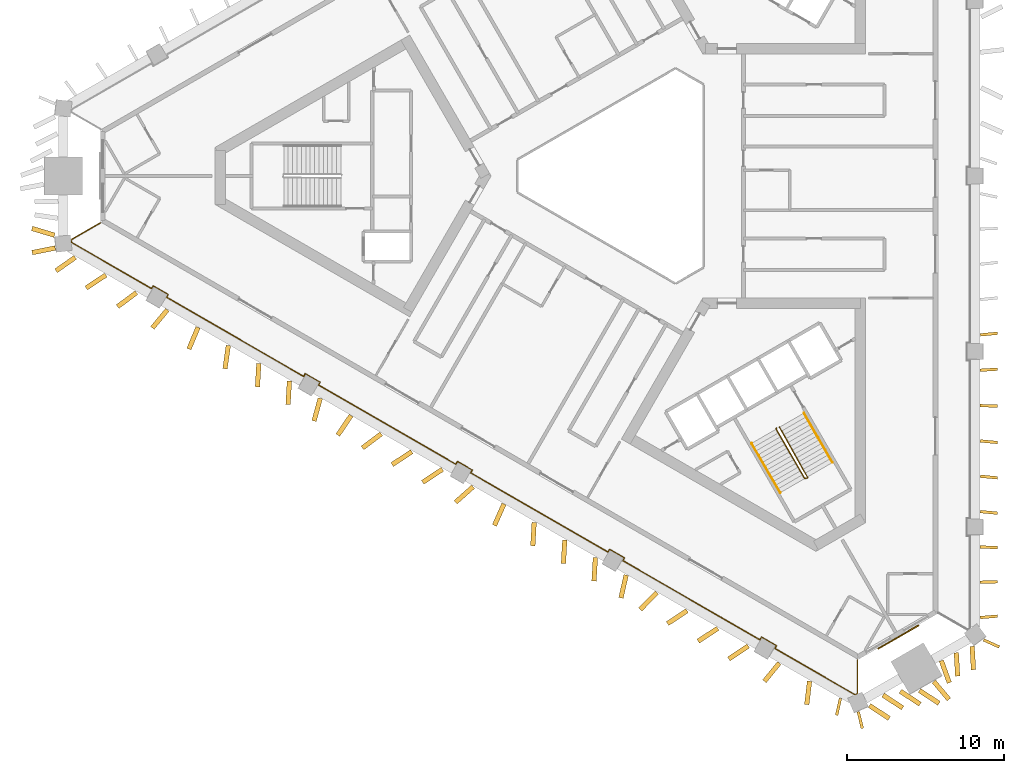
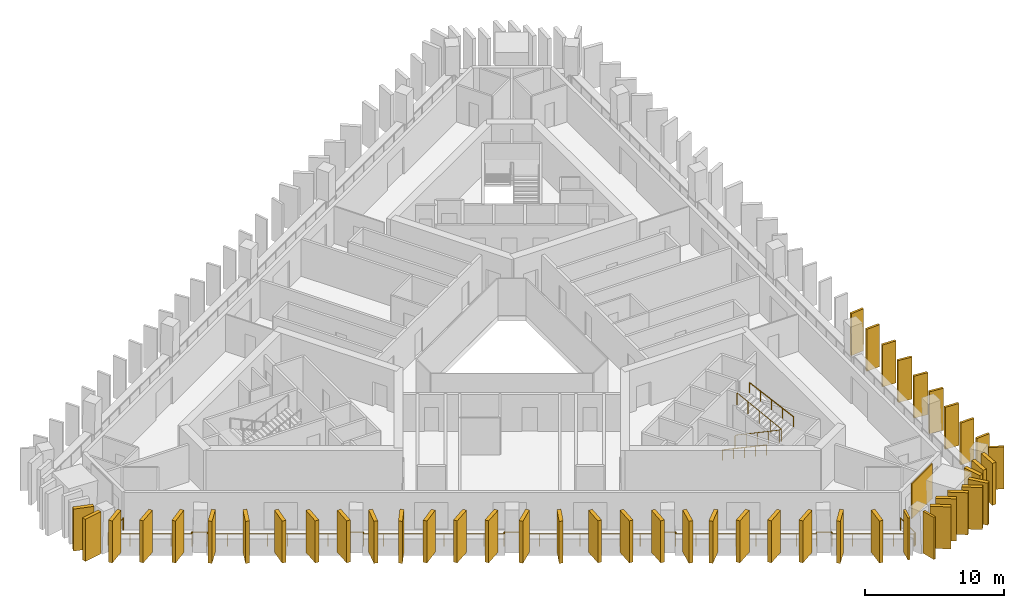
# One storey, part 8 of 10: 47 shading devices, 4 railings, 1 covering.
"""IFC4 building model written with IfcOpenShell, lengths in metres."""

from ifc_helpers import new_model, si_unit, direction, frame, frame_2d, origin, origin_2d, place, context, subcontext, project, spatial, rectangle, circle, extrude, material, layer, layer_set, type_object, element, save


model = new_model("IFC4")

# Units and contexts
model_context = context("Model", 3, precision=1e-05, world=origin(), true_north=direction((0.0, 1.0)))
body_context = subcontext(model_context, "Body", "Model", "MODEL_VIEW")
ifc_project = project(units=[si_unit("LENGTHUNIT", "METRE"), si_unit("AREAUNIT", "SQUARE_METRE"), si_unit("VOLUMEUNIT", "CUBIC_METRE"), si_unit("PLANEANGLEUNIT", "RADIAN"), si_unit("MASSUNIT", "GRAM", prefix="KILO")], contexts=[model_context])

# Site, building, storey
site_placement = place(None, origin())
site = spatial("IfcSite", under=ifc_project, at=site_placement, CompositionType="ELEMENT")
building_placement = place(site_placement, origin())
building = spatial("IfcBuilding", under=site, at=building_placement, Name="Jabali Bay Hotel Tower and Convention Centre", CompositionType="ELEMENT")
storey_placement = place(building_placement, frame((0.0, 0.0, 136.39990234375)))
storey = spatial("IfcBuildingStorey", under=building, at=storey_placement, Name="L33", CompositionType="ELEMENT", Elevation=136.39990234375)

# Railing
ifc_material_1 = material(Name="Glass", Category="glass")
railing_type_1 = type_object("IfcRailingType", Name="Loggia glass guard 1100", PredefinedType="BALUSTRADE", material=ifc_material_1)
railing_1_placement = place(storey_placement, frame((89.370849609375, 49.12646484375, 0.0)))
element("IfcRailing", 1, at=railing_1_placement, inside=storey, type_object=railing_type_1, Name="Loggia glass guard L33", PredefinedType="BALUSTRADE", context=body_context, shape_type="SweptSolid", body=[
    extrude(circle(Radius=0.02490234375, at=origin_2d()), frame((0.0, 0.0, 1.0751953125), z_axis=(0.0, -1.0, 0.0), x_axis=(0.991444861374, 0.0, 0.13052619222)), (0.0, 0.0, 1.0), 2.16552734375),
    extrude(circle(Radius=0.02490234375, at=origin_2d()), frame((0.0, -2.16552734375, 1.0751953125), z_axis=(-0.919226147347, -0.393729970962, 0.0), x_axis=(0.39036155648, -0.911362040227, 0.13052619222)), (0.0, 0.0, 1.0), 0.155517578125),
    extrude(circle(Radius=0.02490234375, at=origin_2d()), frame((-0.14306640625, -2.226806640625, 1.0751953125), z_axis=(-0.866023265602, 0.500003703423, 0.0), x_axis=(-0.495726102427, -0.858614316511, 0.13052619222)), (0.0, 0.0, 1.0), 5.9111328125),
    extrude(circle(Radius=0.02490234375, at=origin_2d()), frame((-5.26220703125, 0.728759765625, 1.0751953125), z_axis=(0.499687197852, 0.866205924883, 0.0), x_axis=(-0.858795413117, 0.495412304605, 0.13052619222)), (0.0, 0.0, 1.0), 0.199951171875),
    extrude(circle(Radius=0.02490234375, at=origin_2d()), frame((-5.162353515625, 0.90185546875, 1.0751953125), z_axis=(-0.866008176907, 0.50002983664, 0.0), x_axis=(-0.495752012071, -0.858599356902, 0.13052619222)), (0.0, 0.0, 1.0), 1.10009765625),
    extrude(circle(Radius=0.02490234375, at=origin_2d()), frame((-6.114990234375, 1.451904296875, 1.0751953125), z_axis=(-0.499687197852, -0.866205924883, 0.0), x_axis=(0.858795413117, -0.495412304605, 0.13052619222)), (0.0, 0.0, 1.0), 0.199951171875),
    extrude(circle(Radius=0.02490234375, at=origin_2d()), frame((-6.21484375, 1.27880859375, 1.0751953125), z_axis=(-0.866032703202, 0.499987356825, 0.0), x_axis=(-0.495709895676, -0.858623673371, 0.13052619222)), (0.0, 0.0, 1.0), 10.105224609375),
    extrude(circle(Radius=0.02490234375, at=origin_2d()), frame((-14.96630859375, 6.331298828125, 1.0751953125), z_axis=(0.499158860599, 0.866510491504, 0.0), x_axis=(-0.859097374128, 0.49488848735, 0.13052619222)), (0.0, 0.0, 1.0), 0.199951171875),
    extrude(circle(Radius=0.02490234375, at=origin_2d()), frame((-14.866455078125, 6.504638671875, 1.0751953125), z_axis=(-0.866008176907, 0.50002983664, 0.0), x_axis=(-0.495752012071, -0.858599356902, 0.13052619222)), (0.0, 0.0, 1.0), 1.10009765625),
    extrude(circle(Radius=0.02490234375, at=origin_2d()), frame((-15.819091796875, 7.0546875, 1.0751953125), z_axis=(-0.499158860599, -0.866510491504, 0.0), x_axis=(0.859097374128, -0.49488848735, 0.13052619222)), (0.0, 0.0, 1.0), 0.199951171875),
    extrude(circle(Radius=0.02490234375, at=origin_2d()), frame((-15.9189453125, 6.88134765625, 1.0751953125), z_axis=(-0.866022241808, 0.500005476663, 0.0), x_axis=(-0.495727860496, -0.858613301476, 0.13052619222)), (0.0, 0.0, 1.0), 10.10546875),
    extrude(circle(Radius=0.02490234375, at=origin_2d()), frame((-24.67041015625, 11.93408203125, 1.0751953125), z_axis=(0.499687197852, 0.866205924883, 0.0), x_axis=(-0.858795413117, 0.495412304605, 0.13052619222)), (0.0, 0.0, 1.0), 0.199951171875),
    extrude(circle(Radius=0.02490234375, at=origin_2d()), frame((-24.570556640625, 12.107177734375, 1.0751953125), z_axis=(-0.866008176907, 0.50002983664, 0.0), x_axis=(-0.495752012071, -0.858599356902, 0.13052619222)), (0.0, 0.0, 1.0), 1.10009765625),
    extrude(circle(Radius=0.02490234375, at=origin_2d()), frame((-25.523193359375, 12.6572265625, 1.0751953125), z_axis=(-0.499687197852, -0.866205924883, 0.0), x_axis=(0.858795413117, -0.495412304605, 0.13052619222)), (0.0, 0.0, 1.0), 0.199951171875),
    extrude(circle(Radius=0.02490234375, at=origin_2d()), frame((-25.623046875, 12.484130859375, 1.0751953125), z_axis=(-0.866032703202, 0.499987356825, 0.0), x_axis=(-0.495709895676, -0.858623673371, 0.13052619222)), (0.0, 0.0, 1.0), 10.105224609375),
    extrude(circle(Radius=0.02490234375, at=origin_2d()), frame((-34.37451171875, 17.53662109375, 1.0751953125), z_axis=(0.499158860599, 0.866510491504, 0.0), x_axis=(-0.859097374128, 0.49488848735, 0.13052619222)), (0.0, 0.0, 1.0), 0.199951171875),
    extrude(circle(Radius=0.02490234375, at=origin_2d()), frame((-34.274658203125, 17.7099609375, 1.0751953125), z_axis=(-0.866008176907, 0.50002983664, 0.0), x_axis=(-0.495752012071, -0.858599356902, 0.13052619222)), (0.0, 0.0, 1.0), 1.10009765625),
    extrude(circle(Radius=0.02490234375, at=origin_2d()), frame((-35.227294921875, 18.260009765625, 1.0751953125), z_axis=(-0.499158860599, -0.866510491504, 0.0), x_axis=(0.859097374128, -0.49488848735, 0.13052619222)), (0.0, 0.0, 1.0), 0.199951171875),
    extrude(circle(Radius=0.02490234375, at=origin_2d()), frame((-35.3271484375, 18.086669921875, 1.0751953125), z_axis=(-0.866022241808, 0.500005476663, 0.0), x_axis=(-0.495727860496, -0.858613301476, 0.13052619222)), (0.0, 0.0, 1.0), 10.10546875),
    extrude(circle(Radius=0.02490234375, at=origin_2d()), frame((-44.07861328125, 23.139404296875, 1.0751953125), z_axis=(0.499687197852, 0.866205924883, 0.0), x_axis=(-0.858795413117, 0.495412304605, 0.13052619222)), (0.0, 0.0, 1.0), 0.199951171875),
    extrude(circle(Radius=0.02490234375, at=origin_2d()), frame((-43.978759765625, 23.3125, 1.0751953125), z_axis=(-0.866008176907, 0.50002983664, 0.0), x_axis=(-0.495752012071, -0.858599356902, 0.13052619222)), (0.0, 0.0, 1.0), 1.10009765625),
    extrude(circle(Radius=0.02490234375, at=origin_2d()), frame((-44.931396484375, 23.862548828125, 1.0751953125), z_axis=(-0.499687197852, -0.866205924883, 0.0), x_axis=(0.858795413117, -0.495412304605, 0.13052619222)), (0.0, 0.0, 1.0), 0.199951171875),
    extrude(circle(Radius=0.02490234375, at=origin_2d()), frame((-45.03125, 23.689453125, 1.0751953125), z_axis=(-0.866023265602, 0.500003703423, 0.0), x_axis=(-0.495726102427, -0.858614316511, 0.13052619222)), (0.0, 0.0, 1.0), 5.9111328125),
    extrude(circle(Radius=0.02490234375, at=origin_2d()), frame((-50.150390625, 26.64501953125, 1.0751953125), z_axis=(-0.119207070312, 0.99286941457, 0.0), x_axis=(-0.98437527909, -0.1181872373, 0.13052619222)), (0.0, 0.0, 1.0), 0.15576171875),
    extrude(circle(Radius=0.02490234375, at=origin_2d()), frame((-50.1689453125, 26.799560546875, 1.0751953125), z_axis=(0.866035399557, 0.499982686414, 0.0), x_axis=(-0.495705265221, 0.858626346659, 0.13052619222)), (0.0, 0.0, 1.0), 2.16552734375),
    extrude(circle(Radius=0.02001953125, at=origin_2d()), origin(), (0.0, 0.0, 1.0), 1.050048828125),
    extrude(circle(Radius=0.02001953125, at=origin_2d()), frame((0.0, -1.082763671875, 0.0)), (0.0, 0.0, 1.0), 1.050048828125),
    extrude(circle(Radius=0.02001953125, at=origin_2d()), frame((0.0, -2.16552734375, 0.0)), (0.0, 0.0, 1.0), 1.050048828125),
    extrude(circle(Radius=0.02001953125, at=origin_2d()), frame((-0.14306640625, -2.226806640625, 0.0)), (0.0, 0.0, 1.0), 1.050048828125),
    extrude(circle(Radius=0.02001953125, at=origin_2d()), frame((-1.4228515625, -1.48779296875, 0.0)), (0.0, 0.0, 1.0), 1.050048828125),
    extrude(circle(Radius=0.02001953125, at=origin_2d()), frame((-2.70263671875, -0.7490234375, 0.0)), (0.0, 0.0, 1.0), 1.050048828125),
    extrude(circle(Radius=0.02001953125, at=origin_2d()), frame((-3.982421875, -0.01025390625, 0.0)), (0.0, 0.0, 1.0), 1.050048828125),
    extrude(circle(Radius=0.02001953125, at=origin_2d()), frame((-5.26220703125, 0.728759765625, 0.0)), (0.0, 0.0, 1.0), 1.050048828125),
    extrude(circle(Radius=0.02001953125, at=origin_2d()), frame((-5.162353515625, 0.90185546875, 0.0)), (0.0, 0.0, 1.0), 1.050048828125),
    extrude(circle(Radius=0.02001953125, at=origin_2d()), frame((-6.114990234375, 1.451904296875, 0.0)), (0.0, 0.0, 1.0), 1.050048828125),
    extrude(circle(Radius=0.02001953125, at=origin_2d()), frame((-6.21484375, 1.27880859375, 0.0)), (0.0, 0.0, 1.0), 1.050048828125),
    extrude(circle(Radius=0.02001953125, at=origin_2d()), frame((-7.465087890625, 2.00048828125, 0.0)), (0.0, 0.0, 1.0), 1.050048828125),
    extrude(circle(Radius=0.02001953125, at=origin_2d()), frame((-8.71533203125, 2.722412109375, 0.0)), (0.0, 0.0, 1.0), 1.050048828125),
    extrude(circle(Radius=0.02001953125, at=origin_2d()), frame((-9.965576171875, 3.444091796875, 0.0)), (0.0, 0.0, 1.0), 1.050048828125),
    extrude(circle(Radius=0.02001953125, at=origin_2d()), frame((-11.215576171875, 4.166015625, 0.0)), (0.0, 0.0, 1.0), 1.050048828125),
    extrude(circle(Radius=0.02001953125, at=origin_2d()), frame((-12.4658203125, 4.8876953125, 0.0)), (0.0, 0.0, 1.0), 1.050048828125),
    extrude(circle(Radius=0.02001953125, at=origin_2d()), frame((-13.716064453125, 5.609619140625, 0.0)), (0.0, 0.0, 1.0), 1.050048828125),
    extrude(circle(Radius=0.02001953125, at=origin_2d()), frame((-14.96630859375, 6.331298828125, 0.0)), (0.0, 0.0, 1.0), 1.050048828125),
    extrude(circle(Radius=0.02001953125, at=origin_2d()), frame((-14.866455078125, 6.504638671875, 0.0)), (0.0, 0.0, 1.0), 1.050048828125),
    extrude(circle(Radius=0.02001953125, at=origin_2d()), frame((-15.819091796875, 7.0546875, 0.0)), (0.0, 0.0, 1.0), 1.050048828125),
    extrude(circle(Radius=0.02001953125, at=origin_2d()), frame((-15.9189453125, 6.88134765625, 0.0)), (0.0, 0.0, 1.0), 1.050048828125),
    extrude(circle(Radius=0.02001953125, at=origin_2d()), frame((-17.169189453125, 7.603271484375, 0.0)), (0.0, 0.0, 1.0), 1.050048828125),
    extrude(circle(Radius=0.02001953125, at=origin_2d()), frame((-18.41943359375, 8.324951171875, 0.0)), (0.0, 0.0, 1.0), 1.050048828125),
    extrude(circle(Radius=0.02001953125, at=origin_2d()), frame((-19.669677734375, 9.046875, 0.0)), (0.0, 0.0, 1.0), 1.050048828125),
    extrude(circle(Radius=0.02001953125, at=origin_2d()), frame((-20.919677734375, 9.7685546875, 0.0)), (0.0, 0.0, 1.0), 1.050048828125),
    extrude(circle(Radius=0.02001953125, at=origin_2d()), frame((-22.169921875, 10.490478515625, 0.0)), (0.0, 0.0, 1.0), 1.050048828125),
    extrude(circle(Radius=0.02001953125, at=origin_2d()), frame((-23.420166015625, 11.212158203125, 0.0)), (0.0, 0.0, 1.0), 1.050048828125),
    extrude(circle(Radius=0.02001953125, at=origin_2d()), frame((-24.67041015625, 11.93408203125, 0.0)), (0.0, 0.0, 1.0), 1.050048828125),
    extrude(circle(Radius=0.02001953125, at=origin_2d()), frame((-24.570556640625, 12.107177734375, 0.0)), (0.0, 0.0, 1.0), 1.050048828125),
    extrude(circle(Radius=0.02001953125, at=origin_2d()), frame((-25.523193359375, 12.6572265625, 0.0)), (0.0, 0.0, 1.0), 1.050048828125),
    extrude(circle(Radius=0.02001953125, at=origin_2d()), frame((-25.623046875, 12.484130859375, 0.0)), (0.0, 0.0, 1.0), 1.050048828125),
    extrude(circle(Radius=0.02001953125, at=origin_2d()), frame((-26.873291015625, 13.205810546875, 0.0)), (0.0, 0.0, 1.0), 1.050048828125),
    extrude(circle(Radius=0.02001953125, at=origin_2d()), frame((-28.12353515625, 13.927734375, 0.0)), (0.0, 0.0, 1.0), 1.050048828125),
    extrude(circle(Radius=0.02001953125, at=origin_2d()), frame((-29.373779296875, 14.6494140625, 0.0)), (0.0, 0.0, 1.0), 1.050048828125),
    extrude(circle(Radius=0.02001953125, at=origin_2d()), frame((-30.623779296875, 15.371337890625, 0.0)), (0.0, 0.0, 1.0), 1.050048828125),
    extrude(circle(Radius=0.02001953125, at=origin_2d()), frame((-31.8740234375, 16.093017578125, 0.0)), (0.0, 0.0, 1.0), 1.050048828125),
    extrude(circle(Radius=0.02001953125, at=origin_2d()), frame((-33.124267578125, 16.81494140625, 0.0)), (0.0, 0.0, 1.0), 1.050048828125),
    extrude(circle(Radius=0.02001953125, at=origin_2d()), frame((-34.37451171875, 17.53662109375, 0.0)), (0.0, 0.0, 1.0), 1.050048828125),
    extrude(circle(Radius=0.02001953125, at=origin_2d()), frame((-34.274658203125, 17.7099609375, 0.0)), (0.0, 0.0, 1.0), 1.050048828125),
    extrude(circle(Radius=0.02001953125, at=origin_2d()), frame((-35.227294921875, 18.260009765625, 0.0)), (0.0, 0.0, 1.0), 1.050048828125),
    extrude(circle(Radius=0.02001953125, at=origin_2d()), frame((-35.3271484375, 18.086669921875, 0.0)), (0.0, 0.0, 1.0), 1.050048828125),
    extrude(circle(Radius=0.02001953125, at=origin_2d()), frame((-36.577392578125, 18.80859375, 0.0)), (0.0, 0.0, 1.0), 1.050048828125),
    extrude(circle(Radius=0.02001953125, at=origin_2d()), frame((-37.82763671875, 19.5302734375, 0.0)), (0.0, 0.0, 1.0), 1.050048828125),
    extrude(circle(Radius=0.02001953125, at=origin_2d()), frame((-39.077880859375, 20.252197265625, 0.0)), (0.0, 0.0, 1.0), 1.050048828125),
    extrude(circle(Radius=0.02001953125, at=origin_2d()), frame((-40.327880859375, 20.973876953125, 0.0)), (0.0, 0.0, 1.0), 1.050048828125),
    extrude(circle(Radius=0.02001953125, at=origin_2d()), frame((-41.578125, 21.69580078125, 0.0)), (0.0, 0.0, 1.0), 1.050048828125),
    extrude(circle(Radius=0.02001953125, at=origin_2d()), frame((-42.828369140625, 22.41748046875, 0.0)), (0.0, 0.0, 1.0), 1.050048828125),
    extrude(circle(Radius=0.02001953125, at=origin_2d()), frame((-44.07861328125, 23.139404296875, 0.0)), (0.0, 0.0, 1.0), 1.050048828125),
    extrude(circle(Radius=0.02001953125, at=origin_2d()), frame((-43.978759765625, 23.3125, 0.0)), (0.0, 0.0, 1.0), 1.050048828125),
    extrude(circle(Radius=0.02001953125, at=origin_2d()), frame((-44.931396484375, 23.862548828125, 0.0)), (0.0, 0.0, 1.0), 1.050048828125),
    extrude(circle(Radius=0.02001953125, at=origin_2d()), frame((-45.03125, 23.689453125, 0.0)), (0.0, 0.0, 1.0), 1.050048828125),
    extrude(circle(Radius=0.02001953125, at=origin_2d()), frame((-46.31103515625, 24.42822265625, 0.0)), (0.0, 0.0, 1.0), 1.050048828125),
    extrude(circle(Radius=0.02001953125, at=origin_2d()), frame((-47.5908203125, 25.167236328125, 0.0)), (0.0, 0.0, 1.0), 1.050048828125),
    extrude(circle(Radius=0.02001953125, at=origin_2d()), frame((-48.87060546875, 25.90625, 0.0)), (0.0, 0.0, 1.0), 1.050048828125),
    extrude(circle(Radius=0.02001953125, at=origin_2d()), frame((-50.150390625, 26.64501953125, 0.0)), (0.0, 0.0, 1.0), 1.050048828125),
    extrude(circle(Radius=0.02001953125, at=origin_2d()), frame((-50.1689453125, 26.799560546875, 0.0)), (0.0, 0.0, 1.0), 1.050048828125),
    extrude(circle(Radius=0.02001953125, at=origin_2d()), frame((-49.231201171875, 27.3408203125, 0.0)), (0.0, 0.0, 1.0), 1.050048828125),
    extrude(circle(Radius=0.02001953125, at=origin_2d()), frame((-48.29345703125, 27.88232421875, 0.0)), (0.0, 0.0, 1.0), 1.050048828125),
])

# Shading devices
ifc_material_2 = material(Name="Precast concrete C60", Category="concrete")
ifc_layer_1 = layer(ifc_material_2, 0.179931640625)
ifc_layer_set_1 = layer_set([ifc_layer_1], Name="Precast concrete C60")
shading_device_type_1 = type_object("IfcShadingDeviceType", Name="Precast fin 3680 x 1100", PredefinedType="USERDEFINED", material=ifc_layer_set_1)
shading_device_1_placement = place(storey_placement, frame((97.20166015625, 51.830078125, 0.010009765625), z_axis=(0.0, 0.0, 1.0), x_axis=(0.996641506846, 0.081888380322, 0.0)))
element("IfcShadingDevice", 2, at=shading_device_1_placement, inside=storey, type_object=shading_device_type_1, Name="Fin L33 000", ObjectType="FIN", PredefinedType="USERDEFINED", context=body_context, shape_type="SweptSolid", body=[
    extrude(rectangle(XDim=1.10009765625, YDim=0.179931640625, at=frame_2d((0.550048828125, 0.0))), origin(), (0.0, 0.0, 1.0), 3.68017578125),
])
for number, where, z_axis, x_axis, name in (
    (3, (97.196533203125, 54.08349609375, 0.010009765625), (0.0, 0.0, 1.0), (0.99967419583, 0.025524540968, 0.0), "Fin L33 001"),
    (4, (97.1982421875, 56.337158203125, 0.010009765625), (0.0, 0.0, 1.0), (0.999014243981, -0.044390768451, 0.0), "Fin L33 002"),
):
    element("IfcShadingDevice", number, at=place(storey_placement, frame(where, z_axis=z_axis, x_axis=x_axis)), inside=storey, type_object=shading_device_type_1, Name=name, ObjectType="FIN", PredefinedType="USERDEFINED", context=body_context, shape_type="SweptSolid", body=[
        extrude(rectangle(XDim=1.099853515625, YDim=0.179931640625, at=frame_2d((0.5498046875, 0.0))), origin(), (0.0, 0.0, 1.0), 3.68017578125),
    ])
for number, where, z_axis, x_axis, name in (
    (5, (97.20263671875, 58.5908203125, 0.010009765625), (0.0, 0.0, 1.0), (0.995583808732, -0.093876939611, 0.0), "Fin L33 003"),
    (6, (97.20263671875, 60.844482421875, 0.010009765625), (0.0, 0.0, 1.0), (0.995583808732, -0.093876939611, 0.0), "Fin L33 004"),
    (7, (97.20263671875, 63.097900390625, 0.010009765625), (0.0, 0.0, 1.0), (0.995604527084, -0.093656957296, 0.0), "Fin L33 005"),
    (8, (97.197021484375, 65.3515625, 0.010009765625), (0.0, 0.0, 1.0), (0.999530942844, -0.030625059972, 0.0), "Fin L33 006"),
    (9, (97.19970703125, 67.605224609375, 0.010009765625), (0.0, 0.0, 1.0), (0.998176608978, 0.060361057724, 0.0), "Fin L33 007"),
    (10, (97.202880859375, 69.85888671875, 0.010009765625), (0.0, 0.0, 1.0), (0.995414313875, 0.095657429048, 0.0), "Fin L33 008"),
    (11, (88.285400390625, 46.671142578125, 0.010009765625), (0.0, 0.0, 1.0), (-0.221275750345, -0.975211280856, 0.0), "Fin L33 093"),
    (12, (97.41357421875, 50.40771484375, 0.010009765625), (0.0, 0.0, 1.0), (0.910412076755, -0.413702611183, 0.0), "Fin L33 102"),
    (13, (89.4208984375, 45.82421875, 0.010009765625), (0.0, 0.0, 1.0), (0.237676452077, -0.971344379779, 0.0), "Fin L33 107"),
):
    element("IfcShadingDevice", number, at=place(storey_placement, frame(where, z_axis=z_axis, x_axis=x_axis)), inside=storey, type_object=shading_device_type_1, Name=name, ObjectType="FIN", PredefinedType="USERDEFINED", context=body_context, shape_type="SweptSolid", body=[
        extrude(rectangle(XDim=1.10009765625, YDim=0.179931640625, at=frame_2d((0.550048828125, 0.0))), origin(), (0.0, 0.0, 1.0), 3.68017578125),
    ])
ifc_layer_2 = layer(ifc_material_2, 0.300048828125)
ifc_layer_set_2 = layer_set([ifc_layer_2], Name="Precast concrete C60")
shading_device_type_2 = type_object("IfcShadingDeviceType", Name="Precast fin 3680 x 1500", PredefinedType="USERDEFINED", material=ifc_layer_set_2)
for number, where, z_axis, x_axis, name in (
    (14, (38.152587890625, 76.220703125, 0.010009765625), (0.0, 0.0, 1.0), (-0.958232995449, 0.285988682352, 0.0), "Fin L33 067"),
    (15, (39.47509765625, 74.809326171875, 0.010009765625), (0.0, 0.0, 1.0), (-0.819369538891, -0.573265696459, 0.0), "Fin L33 068"),
    (16, (41.425048828125, 73.679443359375, 0.010009765625), (0.0, 0.0, 1.0), (-0.833873815152, -0.551955125353, 0.0), "Fin L33 069"),
    (17, (43.38037109375, 72.558837890625, 0.010009765625), (0.0, 0.0, 1.0), (-0.803075415536, -0.595877400948, 0.0), "Fin L33 070"),
    (18, (45.349365234375, 71.462158203125, 0.010009765625), (0.0, 0.0, 1.0), (-0.637491102456, -0.770457717392, 0.0), "Fin L33 071"),
    (19, (47.30419921875, 70.340576171875, 0.010009765625), (0.0, 0.0, 1.0), (-0.386579313833, -0.922256165128, 0.0), "Fin L33 072"),
    (20, (49.2373046875, 69.181884765625, 0.010009765625), (0.0, 0.0, 1.0), (-0.141603648191, -0.989923434827, 0.0), "Fin L33 073"),
    (21, (51.183349609375, 68.044921875, 0.010009765625), (0.0, 0.0, 1.0), (-0.057290813732, -0.998357532481, 0.0), "Fin L33 074"),
    (22, (53.135009765625, 66.918212890625, 0.010009765625), (0.0, 0.0, 1.0), (-0.057290813732, -0.998357532481, 0.0), "Fin L33 075"),
    (23, (55.101318359375, 65.816650390625, 0.010009765625), (0.0, 0.0, 1.0), (-0.263351527243, -0.964699939411, 0.0), "Fin L33 076"),
    (24, (57.066650390625, 64.713623046875, 0.010009765625), (0.0, 0.0, 1.0), (-0.560844546503, -0.827921128283, 0.0), "Fin L33 077"),
    (25, (58.994140625, 63.545166015625, 0.010009765625), (0.0, 0.0, 1.0), (-0.799804645125, -0.600260384864, 0.0), "Fin L33 078"),
    (26, (60.941650390625, 62.410888671875, 0.010009765625), (0.0, 0.0, 1.0), (-0.836059575503, -0.548638666346, 0.0), "Fin L33 079"),
    (27, (62.893310546875, 61.2841796875, 0.010009765625), (0.0, 0.0, 1.0), (-0.836059575503, -0.548638666346, 0.0), "Fin L33 080"),
    (28, (64.85498046875, 60.174560546875, 0.010009765625), (0.0, 0.0, 1.0), (-0.748539707141, -0.663089968883, 0.0), "Fin L33 081"),
):
    element("IfcShadingDevice", number, at=place(storey_placement, frame(where, z_axis=z_axis, x_axis=x_axis)), inside=storey, type_object=shading_device_type_2, Name=name, ObjectType="FIN", PredefinedType="USERDEFINED", context=body_context, shape_type="SweptSolid", body=[
        extrude(rectangle(XDim=1.5, YDim=0.300048828125, at=frame_2d((0.75, 0.0))), origin(), (0.0, 0.0, 1.0), 3.68017578125),
    ])
shading_device_2_placement = place(storey_placement, frame((66.822509765625, 59.0751953125, 0.010009765625), z_axis=(0.0, 0.0, 1.0), x_axis=(-0.406123363173, -0.913818260862, 0.0)))
element("IfcShadingDevice", 29, at=shading_device_2_placement, inside=storey, type_object=shading_device_type_2, Name="Fin L33 082", ObjectType="FIN", PredefinedType="USERDEFINED", context=body_context, shape_type="SweptSolid", body=[
    extrude(rectangle(XDim=1.499755859375, YDim=0.300048828125, at=frame_2d((0.75, 0.0))), origin(), (0.0, 0.0, 1.0), 3.68017578125),
])
shading_device_3_placement = place(storey_placement, frame((68.748291015625, 57.90380859375, 0.010009765625), z_axis=(0.0, 0.0, 1.0), x_axis=(-0.057128587682, -0.99836682861, 0.0)))
element("IfcShadingDevice", 30, at=shading_device_3_placement, inside=storey, type_object=shading_device_type_2, Name="Fin L33 083", ObjectType="FIN", PredefinedType="USERDEFINED", context=body_context, shape_type="SweptSolid", body=[
    extrude(rectangle(XDim=1.5, YDim=0.300048828125, at=frame_2d((0.75, 0.0))), origin(), (0.0, 0.0, 1.0), 3.68017578125),
])
shading_device_4_placement = place(storey_placement, frame((70.699951171875, 56.77685546875, 0.010009765625), z_axis=(0.0, 0.0, 1.0), x_axis=(-0.057137872224, -0.998366297287, 0.0)))
element("IfcShadingDevice", 31, at=shading_device_4_placement, inside=storey, type_object=shading_device_type_2, Name="Fin L33 084", ObjectType="FIN", PredefinedType="USERDEFINED", context=body_context, shape_type="SweptSolid", body=[
    extrude(rectangle(XDim=1.499755859375, YDim=0.300048828125, at=frame_2d((0.75, 0.0))), origin(), (0.0, 0.0, 1.0), 3.68017578125),
])
shading_device_5_placement = place(storey_placement, frame((72.651611328125, 55.650146484375, 0.010009765625), z_axis=(0.0, 0.0, 1.0), x_axis=(-0.057128587682, -0.99836682861, 0.0)))
element("IfcShadingDevice", 32, at=shading_device_5_placement, inside=storey, type_object=shading_device_type_2, Name="Fin L33 085", ObjectType="FIN", PredefinedType="USERDEFINED", context=body_context, shape_type="SweptSolid", body=[
    extrude(rectangle(XDim=1.5, YDim=0.300048828125, at=frame_2d((0.75, 0.0))), origin(), (0.0, 0.0, 1.0), 3.68017578125),
])
shading_device_6_placement = place(storey_placement, frame((74.61474609375, 54.543212890625, 0.010009765625), z_axis=(0.0, 0.0, 1.0), x_axis=(-0.220031088877, -0.975492860008, 0.0)))
element("IfcShadingDevice", 33, at=shading_device_6_placement, inside=storey, type_object=shading_device_type_2, Name="Fin L33 086", ObjectType="FIN", PredefinedType="USERDEFINED", context=body_context, shape_type="SweptSolid", body=[
    extrude(rectangle(XDim=1.500244140625, YDim=0.300048828125, at=frame_2d((0.75, 0.0))), origin(), (0.0, 0.0, 1.0), 3.68017578125),
])
for number, where, z_axis, x_axis, name in (
    (34, (76.5703125, 53.4228515625, 0.010009765625), (0.0, 0.0, 1.0), (-0.698675602211, -0.71543860874, 0.0), "Fin L33 087"),
    (35, (78.506591796875, 52.269775390625, 0.010009765625), (0.0, 0.0, 1.0), (-0.835812181633, -0.549015479776, 0.0), "Fin L33 088"),
    (36, (80.45849609375, 51.14306640625, 0.010009765625), (0.0, 0.0, 1.0), (-0.835415115663, -0.549619490667, 0.0), "Fin L33 089"),
    (37, (82.410400390625, 50.0166015625, 0.010009765625), (0.0, 0.0, 1.0), (-0.833474787265, -0.552557489311, 0.0), "Fin L33 090"),
    (38, (84.383544921875, 48.92724609375, 0.010009765625), (0.0, 0.0, 1.0), (-0.630414900137, -0.776258367868, 0.0), "Fin L33 091"),
    (39, (86.317626953125, 47.77001953125, 0.010009765625), (0.0, 0.0, 1.0), (-0.120768822635, -0.992680659366, 0.0), "Fin L33 092"),
    (40, (90.14013671875, 46.2177734375, 0.010009765625), (0.0, 0.0, 1.0), (0.836059575503, -0.548638666346, 0.0), "Fin L33 094"),
    (41, (91.000732421875, 46.88720703125, 0.010009765625), (0.0, 0.0, 1.0), (0.83593590558, -0.548827078196, 0.0), "Fin L33 095"),
):
    element("IfcShadingDevice", number, at=place(storey_placement, frame(where, z_axis=z_axis, x_axis=x_axis)), inside=storey, type_object=shading_device_type_2, Name=name, ObjectType="FIN", PredefinedType="USERDEFINED", context=body_context, shape_type="SweptSolid", body=[
        extrude(rectangle(XDim=1.5, YDim=0.300048828125, at=frame_2d((0.75, 0.0))), origin(), (0.0, 0.0, 1.0), 3.68017578125),
    ])
shading_device_7_placement = place(storey_placement, frame((92.108154296875, 47.12841796875, 0.010009765625), z_axis=(0.0, 0.0, 1.0), x_axis=(0.835984920737, -0.548752414391, 0.0)))
element("IfcShadingDevice", 42, at=shading_device_7_placement, inside=storey, type_object=shading_device_type_2, Name="Fin L33 096", ObjectType="FIN", PredefinedType="USERDEFINED", context=body_context, shape_type="SweptSolid", body=[
    extrude(rectangle(XDim=1.500244140625, YDim=0.300048828125, at=frame_2d((0.75, 0.0))), origin(), (0.0, 0.0, 1.0), 3.68017578125),
])
for number, where, z_axis, x_axis, name in (
    (43, (93.3271484375, 47.1767578125, 0.010009765625), (0.0, 0.0, 1.0), (0.83593590558, -0.548827078196, 0.0), "Fin L33 097"),
    (44, (94.24169921875, 47.75244140625, 0.010009765625), (0.0, 0.0, 1.0), (0.642901942727, -0.765948491765, 0.0), "Fin L33 098"),
    (45, (94.720703125, 49.08203125, 0.010009765625), (0.0, 0.0, 1.0), (0.339036446021, -0.940773239559, 0.0), "Fin L33 099"),
    (46, (95.67626953125, 49.586669921875, 0.010009765625), (0.0, 0.0, 1.0), (0.057290813732, -0.998357532481, 0.0), "Fin L33 100"),
    (47, (96.68603515625, 49.9970703125, 0.010009765625), (0.0, 0.0, 1.0), (0.057290813732, -0.998357532481, 0.0), "Fin L33 101"),
    (48, (38.195556640625, 75.40283203125, 0.010009765625), (0.0, 0.0, 1.0), (-0.98115855924, -0.193204248477, 0.0), "Fin L33 106"),
):
    element("IfcShadingDevice", number, at=place(storey_placement, frame(where, z_axis=z_axis, x_axis=x_axis)), inside=storey, type_object=shading_device_type_2, Name=name, ObjectType="FIN", PredefinedType="USERDEFINED", context=body_context, shape_type="SweptSolid", body=[
        extrude(rectangle(XDim=1.5, YDim=0.300048828125, at=frame_2d((0.75, 0.0))), origin(), (0.0, 0.0, 1.0), 3.68017578125),
    ])

# Covering
ifc_material_3 = material(Name="Precast concrete C40/50", Category="concrete")
ifc_layer_3 = layer(ifc_material_3, 0.080078125)
ifc_layer_set_3 = layer_set([ifc_layer_3], Name="Precast concrete C40/50")
covering_type = type_object("IfcCoveringType", Name="Relief panel 3000 x 3050", PredefinedType="CLADDING", material=ifc_layer_set_3)
covering_placement = place(storey_placement, frame((91.9814453125, 50.58740234375, 0.10009765625), z_axis=(0.0, 0.0, 1.0), x_axis=(-0.866025390712, -0.500000022642, 0.0)))
element("IfcCovering", 49, at=covering_placement, inside=storey, type_object=covering_type, Name="Relief panel L33", PredefinedType="CLADDING", context=body_context, shape_type="SweptSolid", body=[
    extrude(rectangle(XDim=3.0, YDim=0.080078125, at=origin_2d()), origin(), (0.0, 0.0, 1.0), 3.050048828125),
])

# Railings
ifc_material_4 = material(Name="Steel Q355B", Category="steel")
railing_type_2 = type_object("IfcRailingType", Name="Stair guard 1100", PredefinedType="GUARDRAIL", material=ifc_material_4)
railing_2_placement = place(storey_placement, frame((84.199951171875, 63.9150390625, 0.0)))
element("IfcRailing", 50, at=railing_2_placement, inside=storey, type_object=railing_type_2, Name="L33 ST3 stair guard 1", PredefinedType="GUARDRAIL", context=body_context, shape_type="SweptSolid", body=[
    extrude(circle(Radius=0.02392578125, at=origin_2d()), frame((0.0, 0.0, 1.076171875), z_axis=(-0.122021570157, -0.455547195254, 0.88180921367), x_axis=(0.965948051503, -0.258736085224, 0.0)), (0.0, 0.0, 1.0), 0.150146484375),
    extrude(circle(Radius=0.02392578125, at=origin_2d()), frame((-0.018310546875, -0.068359375, 1.20849609375), z_axis=(0.452190331055, -0.783190014029, 0.426775475427), x_axis=(0.866018046521, 0.500012742938, 0.0)), (0.0, 0.0, 1.0), 4.02490234375),
    extrude(circle(Radius=0.02392578125, at=origin_2d()), frame((1.8017578125, -3.220703125, 2.92626953125), z_axis=(0.96121063429, 0.275815366736, 0.0), x_axis=(-0.275815366736, 0.96121063429, 0.0)), (0.0, 0.0, 1.0), 0.206298828125),
    extrude(circle(Radius=0.02392578125, at=origin_2d()), frame((2.0, -3.163818359375, 2.92626953125), z_axis=(-0.436470229993, 0.780146179382, 0.448180406895), x_axis=(-0.872702246529, -0.488252792008, 0.0)), (0.0, 0.0, 1.0), 4.1279296875),
    extrude(circle(Radius=0.02099609375, at=origin_2d()), origin(), (0.0, 0.0, 1.0), 1.052001953125),
    extrude(circle(Radius=0.02099609375, at=origin_2d()), frame((-0.018310546875, -0.068359375, 0.13232421875)), (0.0, 0.0, 1.0), 1.052001953125),
    extrude(circle(Radius=0.02099609375, at=origin_2d()), frame((0.436767578125, -0.8564453125, 0.561767578125)), (0.0, 0.0, 1.0), 1.052001953125),
    extrude(circle(Radius=0.02099609375, at=origin_2d()), frame((0.8916015625, -1.64453125, 0.9912109375)), (0.0, 0.0, 1.0), 1.052001953125),
    extrude(circle(Radius=0.02099609375, at=origin_2d()), frame((1.3466796875, -2.4326171875, 1.420654296875)), (0.0, 0.0, 1.0), 1.052001953125),
    extrude(circle(Radius=0.02099609375, at=origin_2d()), frame((1.8017578125, -3.220703125, 1.85009765625)), (0.0, 0.0, 1.0), 1.052001953125),
    extrude(circle(Radius=0.02099609375, at=origin_2d()), frame((2.0, -3.163818359375, 1.85009765625)), (0.0, 0.0, 1.0), 1.052001953125),
    extrude(circle(Radius=0.02099609375, at=origin_2d()), frame((1.549560546875, -2.358642578125, 2.3125)), (0.0, 0.0, 1.0), 1.052001953125),
    extrude(circle(Radius=0.02099609375, at=origin_2d()), frame((1.09912109375, -1.5537109375, 2.775146484375)), (0.0, 0.0, 1.0), 1.052001953125),
    extrude(circle(Radius=0.02099609375, at=origin_2d()), frame((0.648681640625, -0.74853515625, 3.23779296875)), (0.0, 0.0, 1.0), 1.052001953125),
    extrude(circle(Radius=0.02099609375, at=origin_2d()), frame((0.1982421875, 0.056640625, 3.7001953125)), (0.0, 0.0, 1.0), 1.052001953125),
])
railing_type_3 = type_object("IfcRailingType", Name="Stair handrail 900", PredefinedType="HANDRAIL", material=ifc_material_4)
railing_3_placement = place(storey_placement, frame((82.622802734375, 62.94677734375, 0.13232421875)))
element("IfcRailing", 51, at=railing_3_placement, inside=storey, type_object=railing_type_3, Name="L33 ST3 stair handrail 1", PredefinedType="HANDRAIL", context=body_context, shape_type="SweptSolid", body=[
    extrude(circle(Radius=0.02392578125, at=origin_2d()), frame((0.0, 0.0, 0.8759765625), z_axis=(0.452190331055, -0.783190014029, 0.426775475427), x_axis=(0.866018046521, 0.500012742938, 0.0)), (0.0, 0.0, 1.0), 4.02490234375),
    extrude(circle(Radius=0.02099609375, at=origin_2d()), origin(), (0.0, 0.0, 1.0), 0.851806640625),
    extrude(circle(Radius=0.02099609375, at=origin_2d()), frame((0.455078125, -0.7880859375, 0.429443359375)), (0.0, 0.0, 1.0), 0.851806640625),
    extrude(circle(Radius=0.02099609375, at=origin_2d()), frame((0.91015625, -1.576171875, 0.85888671875)), (0.0, 0.0, 1.0), 0.851806640625),
    extrude(circle(Radius=0.02099609375, at=origin_2d()), frame((1.364990234375, -2.3642578125, 1.288330078125)), (0.0, 0.0, 1.0), 0.851806640625),
    extrude(circle(Radius=0.02099609375, at=origin_2d()), frame((1.820068359375, -3.15234375, 1.7177734375)), (0.0, 0.0, 1.0), 0.851806640625),
])
railing_4_placement = place(storey_placement, frame((87.777099609375, 61.719482421875, 1.982177734375)))
element("IfcRailing", 52, at=railing_4_placement, inside=storey, type_object=railing_type_3, Name="L33 ST3 stair handrail 2", PredefinedType="HANDRAIL", context=body_context, shape_type="SweptSolid", body=[
    extrude(circle(Radius=0.02392578125, at=origin_2d()), frame((0.0, 0.0, 0.8759765625), z_axis=(-0.45217862506, 0.783169739339, 0.426825081763), x_axis=(-0.866018046521, -0.500012742938, 0.0)), (0.0, 0.0, 1.0), 4.025146484375),
    extrude(circle(Radius=0.02099609375, at=origin_2d()), origin(), (0.0, 0.0, 1.0), 0.851806640625),
    extrude(circle(Radius=0.02099609375, at=origin_2d()), frame((-0.455078125, 0.7880859375, 0.429443359375)), (0.0, 0.0, 1.0), 0.851806640625),
    extrude(circle(Radius=0.02099609375, at=origin_2d()), frame((-0.91015625, 1.576171875, 0.85888671875)), (0.0, 0.0, 1.0), 0.851806640625),
    extrude(circle(Radius=0.02099609375, at=origin_2d()), frame((-1.364990234375, 2.3642578125, 1.28857421875)), (0.0, 0.0, 1.0), 0.851806640625),
    extrude(circle(Radius=0.02099609375, at=origin_2d()), frame((-1.820068359375, 3.15234375, 1.718017578125)), (0.0, 0.0, 1.0), 0.851806640625),
])

save(model, "model.ifc")
